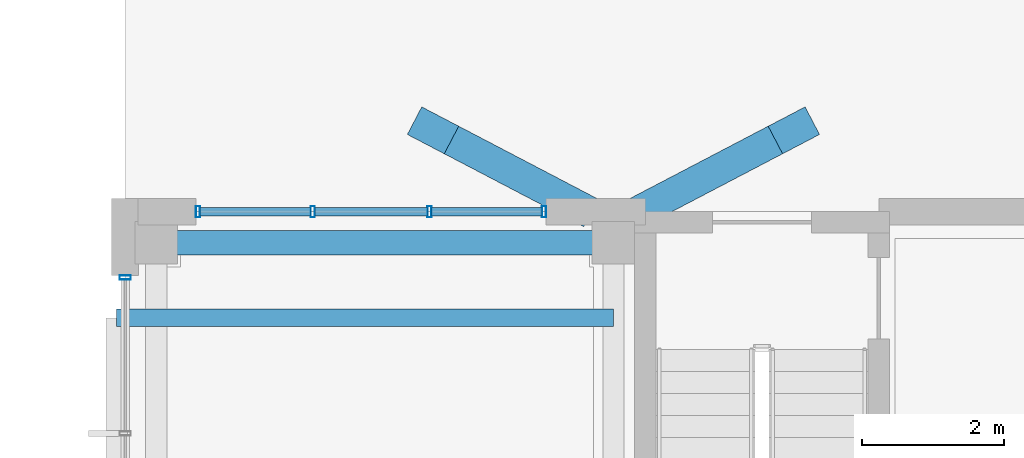
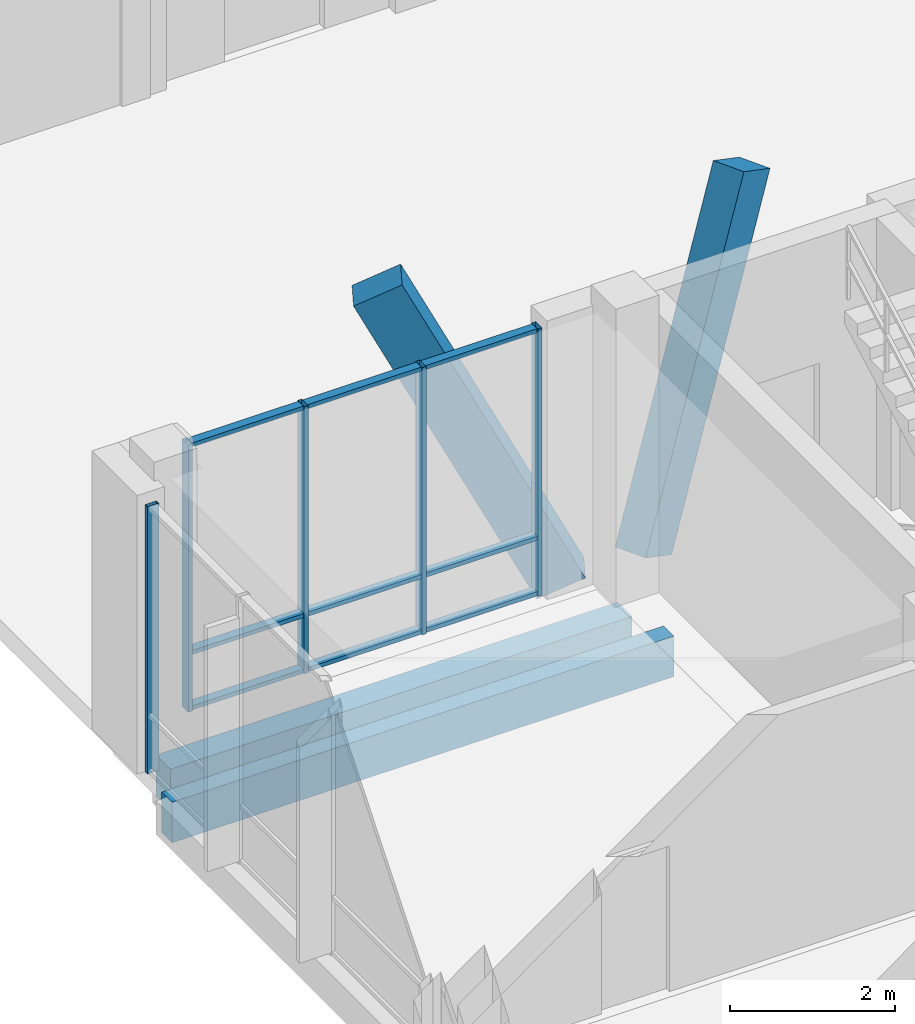
# One storey, part 29 of 233: 16 members, 2 beams, 2 elements without a shape of their own.
"""IFC4 building model written with IfcOpenShell, lengths in metres."""

from ifc_helpers import new_model, si_unit, direction, frame, origin, origin_2d, place, context, subcontext, project, spatial, rectangle, hollow_rectangle, extrude, material, material_profile, profile_set, type_object, element, aggregate, save


model = new_model("IFC4")

# Units and contexts
model_context = context("Model", 3, precision=1e-05, world=origin(), true_north=direction((0.0, 1.0)))
body_context = subcontext(model_context, "Body", "Model", "MODEL_VIEW")
ifc_project = project(units=[si_unit("LENGTHUNIT", "METRE"), si_unit("AREAUNIT", "SQUARE_METRE"), si_unit("VOLUMEUNIT", "CUBIC_METRE"), si_unit("PLANEANGLEUNIT", "RADIAN"), si_unit("MASSUNIT", "GRAM", prefix="KILO")], contexts=[model_context])

# Site, building, storey
site_placement = place(None, origin())
site = spatial("IfcSite", under=ifc_project, at=site_placement, CompositionType="ELEMENT")
building_placement = place(site_placement, origin())
building = spatial("IfcBuilding", under=site, at=building_placement, Name="Zavelmont Quarter", CompositionType="ELEMENT")
storey_placement = place(building_placement, origin())
storey = spatial("IfcBuildingStorey", under=building, at=storey_placement, Name="L00", CompositionType="ELEMENT", Elevation=0.0)

# Beams
ifc_material_1 = material(Name="Concrete C35/45", Category="concrete")
ifc_material_profile_1 = material_profile(ifc_material_1, rectangle(XDim=0.35009765625, YDim=0.60009765625, at=origin_2d()), Name="RC350X600")
ifc_profile_set_1 = profile_set([ifc_material_profile_1], Name="Concrete C35/45")
beam_type_1 = type_object("IfcBeamType", Name="BM01", PredefinedType="SPANDREL", material=ifc_profile_set_1)
beam_1_placement = place(storey_placement, frame((0.43994140625, 17.9599609375, -0.6201171875), z_axis=(1.0, 0.0, 0.0), x_axis=(0.0, 1.0, 0.0)))
element("IfcBeam", 1, at=beam_1_placement, inside=storey, type_object=beam_type_1, Name="L00 beam BM01 1/D to 2/D", PredefinedType="SPANDREL", context=body_context, shape_type="SweptSolid", body=[
    extrude(rectangle(XDim=0.35009765625, YDim=0.60009765625, at=origin_2d()), origin(), (0.0, 0.0, 1.0), 6.4599609375),
])
ifc_material_2 = material(Name="Concrete C40/50", Category="concrete")
ifc_material_profile_2 = material_profile(ifc_material_2, rectangle(XDim=0.25, YDim=0.60009765625, at=origin_2d()), Name="RC250X600")
ifc_profile_set_2 = profile_set([ifc_material_profile_2], Name="Concrete C40/50")
beam_type_2 = type_object("IfcBeamType", Name="BM18", PredefinedType="BEAM", material=ifc_profile_set_2)
beam_2_placement = place(storey_placement, frame((6.89990234375, 16.89990234375, -0.300048828125), z_axis=(-1.0, 0.0, 0.0), x_axis=(0.0, -1.0, 0.0)))
element("IfcBeam", 2, at=beam_2_placement, inside=storey, type_object=beam_type_2, Name="L00 beam BM18 2/D to 1/D", PredefinedType="BEAM", context=body_context, shape_type="SweptSolid", body=[
    extrude(rectangle(XDim=0.25, YDim=0.60009765625, at=origin_2d()), origin(), (0.0, 0.0, 1.0), 7.02001953125),
])

# Curtain wall, members
ifc_material_3 = material(Name="Thermally broken aluminium and double low-E safety glazing", Category="aluminium")
curtain_wall_type_1 = type_object("IfcCurtainWallType", Name="CW-495X395", PredefinedType="NOTDEFINED", material=ifc_material_3)
curtain_wall_1_placement = place(storey_placement, origin())
curtain_wall_1 = element("IfcCurtainWall", 3, at=curtain_wall_1_placement, inside=storey, type_object=curtain_wall_type_1, Name="L00 unitised curtain wall CW-495X395", PredefinedType="NOTDEFINED")
ifc_material_4 = material(Name="Powder-coated aluminium EN AW-6063-T6", Category="aluminium")
ifc_material_profile_3 = material_profile(ifc_material_4, hollow_rectangle(XDim=0.06005859375, YDim=0.159912109375, WallThickness=0.00390625, at=origin_2d()), Name="CWM60X160")
ifc_profile_set_3 = profile_set([ifc_material_profile_3], Name="Powder-coated aluminium EN AW-6063-T6")
member_type_1 = type_object("IfcMemberType", Name="CWM01", PredefinedType="MULLION", material=ifc_profile_set_3)
member_1_placement = place(storey_placement, frame((1.030029296875, 18.39990234375, 0.0), z_axis=(0.0, 0.0, 1.0), x_axis=(1.0, 0.0, 0.0)))
member_1 = element("IfcMember", 4, at=member_1_placement, type_object=member_type_1, Name="CW-495X395 mullion 1", PredefinedType="MULLION", context=body_context, shape_type="SweptSolid", body=[
    extrude(hollow_rectangle(XDim=0.06005859375, YDim=0.159912109375, WallThickness=0.00390625, at=origin_2d()), origin(), (0.0, 0.0, 1.0), 3.949951171875),
])
member_2_placement = place(storey_placement, frame((2.64990234375, 18.39990234375, 0.0), z_axis=(0.0, 0.0, 1.0), x_axis=(1.0, 0.0, 0.0)))
member_2 = element("IfcMember", 5, at=member_2_placement, type_object=member_type_1, Name="CW-495X395 mullion 2", PredefinedType="MULLION", context=body_context, shape_type="SweptSolid", body=[
    extrude(hollow_rectangle(XDim=0.06005859375, YDim=0.159912109375, WallThickness=0.00390625, at=origin_2d()), origin(), (0.0, 0.0, 1.0), 3.949951171875),
])
member_3_placement = place(storey_placement, frame((4.300048828125, 18.39990234375, 0.0), z_axis=(0.0, 0.0, 1.0), x_axis=(1.0, 0.0, 0.0)))
member_3 = element("IfcMember", 6, at=member_3_placement, type_object=member_type_1, Name="CW-495X395 mullion 3", PredefinedType="MULLION", context=body_context, shape_type="SweptSolid", body=[
    extrude(hollow_rectangle(XDim=0.06005859375, YDim=0.159912109375, WallThickness=0.00390625, at=origin_2d()), origin(), (0.0, 0.0, 1.0), 3.949951171875),
])
member_4_placement = place(storey_placement, frame((5.919921875, 18.39990234375, 0.0), z_axis=(0.0, 0.0, 1.0), x_axis=(1.0, 0.0, 0.0)))
member_4 = element("IfcMember", 7, at=member_4_placement, type_object=member_type_1, Name="CW-495X395 mullion 4", PredefinedType="MULLION", context=body_context, shape_type="SweptSolid", body=[
    extrude(hollow_rectangle(XDim=0.06005859375, YDim=0.159912109375, WallThickness=0.00390625, at=origin_2d()), origin(), (0.0, 0.0, 1.0), 3.949951171875),
])

# Curtain wall, member
curtain_wall_type_2 = type_object("IfcCurtainWallType", Name="CW-670X395", PredefinedType="NOTDEFINED", material=ifc_material_3)
curtain_wall_2_placement = place(storey_placement, origin())
curtain_wall_2 = element("IfcCurtainWall", 8, at=curtain_wall_2_placement, inside=storey, type_object=curtain_wall_type_2, Name="L00 unitised curtain wall CW-670X395", PredefinedType="NOTDEFINED")
member_5_placement = place(storey_placement, frame((0.0, 17.469970703125, 0.0), z_axis=(0.0, 0.0, 1.0), x_axis=(0.0, 1.0, 0.0)))
member_5 = element("IfcMember", 9, at=member_5_placement, type_object=member_type_1, Name="CW-670X395 mullion 4", PredefinedType="MULLION", context=body_context, shape_type="SweptSolid", body=[
    extrude(hollow_rectangle(XDim=0.06005859375, YDim=0.159912109375, WallThickness=0.00390625, at=origin_2d()), origin(), (0.0, 0.0, 1.0), 3.949951171875),
])
aggregate(curtain_wall_2, [member_5])

# Member
ifc_material_profile_4 = material_profile(ifc_material_4, hollow_rectangle(XDim=0.1201171875, YDim=0.06005859375, WallThickness=0.00390625, at=origin_2d()), Name="CWT60X120")
ifc_profile_set_4 = profile_set([ifc_material_profile_4], Name="Powder-coated aluminium EN AW-6063-T6")
member_type_2 = type_object("IfcMemberType", Name="CWT01", PredefinedType="NOTDEFINED", material=ifc_profile_set_4)
member_6_placement = place(storey_placement, frame((1.06005859375, 18.39990234375, 0.030029296875), z_axis=(1.0, 0.0, 0.0), x_axis=(0.0, 1.0, 0.0)))
member_6 = element("IfcMember", 10, at=member_6_placement, type_object=member_type_2, Name="CW-495X395 transom 1.1", ObjectType="TRANSOM", PredefinedType="USERDEFINED", context=body_context, shape_type="SweptSolid", body=[
    extrude(hollow_rectangle(XDim=0.1201171875, YDim=0.06005859375, WallThickness=0.00390625, at=origin_2d()), origin(), (0.0, 0.0, 1.0), 1.56005859375),
])

member_7_placement = place(storey_placement, frame((1.06005859375, 18.39990234375, 0.85009765625), z_axis=(1.0, 0.0, 0.0), x_axis=(0.0, 1.0, 0.0)))
member_7 = element("IfcMember", 11, at=member_7_placement, type_object=member_type_2, Name="CW-495X395 transom 1.2", ObjectType="TRANSOM", PredefinedType="USERDEFINED", context=body_context, shape_type="SweptSolid", body=[
    extrude(hollow_rectangle(XDim=0.1201171875, YDim=0.06005859375, WallThickness=0.00390625, at=origin_2d()), origin(), (0.0, 0.0, 1.0), 1.56005859375),
])

member_8_placement = place(storey_placement, frame((1.06005859375, 18.39990234375, 3.919921875), z_axis=(1.0, 0.0, 0.0), x_axis=(0.0, 1.0, 0.0)))
member_8 = element("IfcMember", 12, at=member_8_placement, type_object=member_type_2, Name="CW-495X395 transom 1.3", ObjectType="TRANSOM", PredefinedType="USERDEFINED", context=body_context, shape_type="SweptSolid", body=[
    extrude(hollow_rectangle(XDim=0.1201171875, YDim=0.06005859375, WallThickness=0.00390625, at=origin_2d()), origin(), (0.0, 0.0, 1.0), 1.56005859375),
])

member_9_placement = place(storey_placement, frame((2.679931640625, 18.39990234375, 0.030029296875), z_axis=(1.0, 0.0, 0.0), x_axis=(0.0, 1.0, 0.0)))
member_9 = element("IfcMember", 13, at=member_9_placement, type_object=member_type_2, Name="CW-495X395 transom 2.1", ObjectType="TRANSOM", PredefinedType="USERDEFINED", context=body_context, shape_type="SweptSolid", body=[
    extrude(hollow_rectangle(XDim=0.1201171875, YDim=0.06005859375, WallThickness=0.00390625, at=origin_2d()), origin(), (0.0, 0.0, 1.0), 1.590087890625),
])

member_10_placement = place(storey_placement, frame((2.679931640625, 18.39990234375, 0.85009765625), z_axis=(1.0, 0.0, 0.0), x_axis=(0.0, 1.0, 0.0)))
member_10 = element("IfcMember", 14, at=member_10_placement, type_object=member_type_2, Name="CW-495X395 transom 2.2", ObjectType="TRANSOM", PredefinedType="USERDEFINED", context=body_context, shape_type="SweptSolid", body=[
    extrude(hollow_rectangle(XDim=0.1201171875, YDim=0.06005859375, WallThickness=0.00390625, at=origin_2d()), origin(), (0.0, 0.0, 1.0), 1.590087890625),
])

member_11_placement = place(storey_placement, frame((2.679931640625, 18.39990234375, 3.919921875), z_axis=(1.0, 0.0, 0.0), x_axis=(0.0, 1.0, 0.0)))
member_11 = element("IfcMember", 15, at=member_11_placement, type_object=member_type_2, Name="CW-495X395 transom 2.3", ObjectType="TRANSOM", PredefinedType="USERDEFINED", context=body_context, shape_type="SweptSolid", body=[
    extrude(hollow_rectangle(XDim=0.1201171875, YDim=0.06005859375, WallThickness=0.00390625, at=origin_2d()), origin(), (0.0, 0.0, 1.0), 1.590087890625),
])

member_12_placement = place(storey_placement, frame((4.330078125, 18.39990234375, 0.030029296875), z_axis=(1.0, 0.0, 0.0), x_axis=(0.0, 1.0, 0.0)))
member_12 = element("IfcMember", 16, at=member_12_placement, type_object=member_type_2, Name="CW-495X395 transom 3.1", ObjectType="TRANSOM", PredefinedType="USERDEFINED", context=body_context, shape_type="SweptSolid", body=[
    extrude(hollow_rectangle(XDim=0.1201171875, YDim=0.06005859375, WallThickness=0.00390625, at=origin_2d()), origin(), (0.0, 0.0, 1.0), 1.559814453125),
])

member_13_placement = place(storey_placement, frame((4.330078125, 18.39990234375, 0.85009765625), z_axis=(1.0, 0.0, 0.0), x_axis=(0.0, 1.0, 0.0)))
member_13 = element("IfcMember", 17, at=member_13_placement, type_object=member_type_2, Name="CW-495X395 transom 3.2", ObjectType="TRANSOM", PredefinedType="USERDEFINED", context=body_context, shape_type="SweptSolid", body=[
    extrude(hollow_rectangle(XDim=0.1201171875, YDim=0.06005859375, WallThickness=0.00390625, at=origin_2d()), origin(), (0.0, 0.0, 1.0), 1.559814453125),
])

member_14_placement = place(storey_placement, frame((4.330078125, 18.39990234375, 3.919921875), z_axis=(1.0, 0.0, 0.0), x_axis=(0.0, 1.0, 0.0)))
member_14 = element("IfcMember", 18, at=member_14_placement, type_object=member_type_2, Name="CW-495X395 transom 3.3", ObjectType="TRANSOM", PredefinedType="USERDEFINED", context=body_context, shape_type="SweptSolid", body=[
    extrude(hollow_rectangle(XDim=0.1201171875, YDim=0.06005859375, WallThickness=0.00390625, at=origin_2d()), origin(), (0.0, 0.0, 1.0), 1.559814453125),
])

aggregate(curtain_wall_1, [member_1, member_2, member_3, member_4, member_6, member_7, member_8, member_9, member_10, member_11, member_12, member_13, member_14])

# Members
ifc_material_5 = material(Name="White architectural precast concrete C40/50", Category="concrete")
ifc_material_profile_5 = material_profile(ifc_material_5, rectangle(XDim=0.43994140625, YDim=0.659912109375, at=origin_2d()), Name="PCR320X480")
ifc_profile_set_5 = profile_set([ifc_material_profile_5], Name="White architectural precast concrete C40/50")
member_type_3 = type_object("IfcMemberType", Name="VR01M", PredefinedType="CHORD", material=ifc_profile_set_5)
for number, where, z_axis, x_axis, name in (
    (19, (6.320068359375, 18.52001953125, 0.0), (-0.399579764361, 0.208952283817, 0.892566498924), (-0.463395363063, -0.886151644749, 0.0), "L00 member VR01M 2/D to 2/D"),
    (20, (7.47998046875, 18.52001953125, 0.0), (0.399579764361, 0.208952283817, 0.892566498924), (-0.463395363063, 0.886151644749, 0.0), "L00 member VR01M 2/D to 2/D"),
):
    element("IfcMember", number, at=place(storey_placement, frame(where, z_axis=z_axis, x_axis=x_axis)), inside=storey, type_object=member_type_3, Name=name, PredefinedType="CHORD", context=body_context, shape_type="SweptSolid", body=[
        extrude(rectangle(XDim=0.43994140625, YDim=0.659912109375, at=origin_2d()), origin(), (0.0, 0.0, 1.0), 4.929443359375),
    ])

save(model, "model.ifc")
